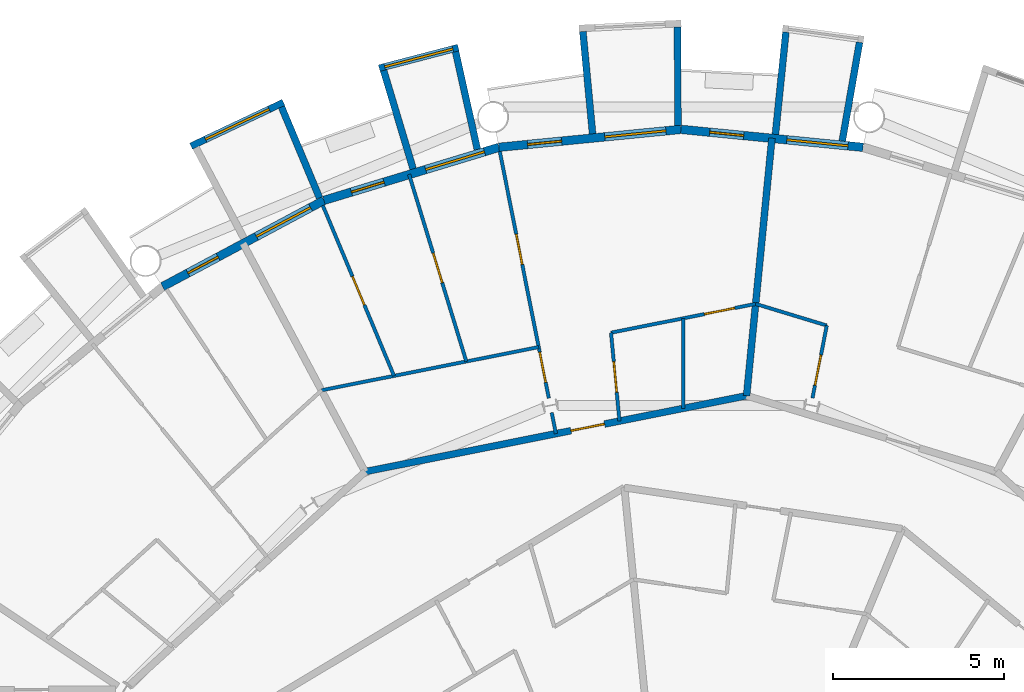
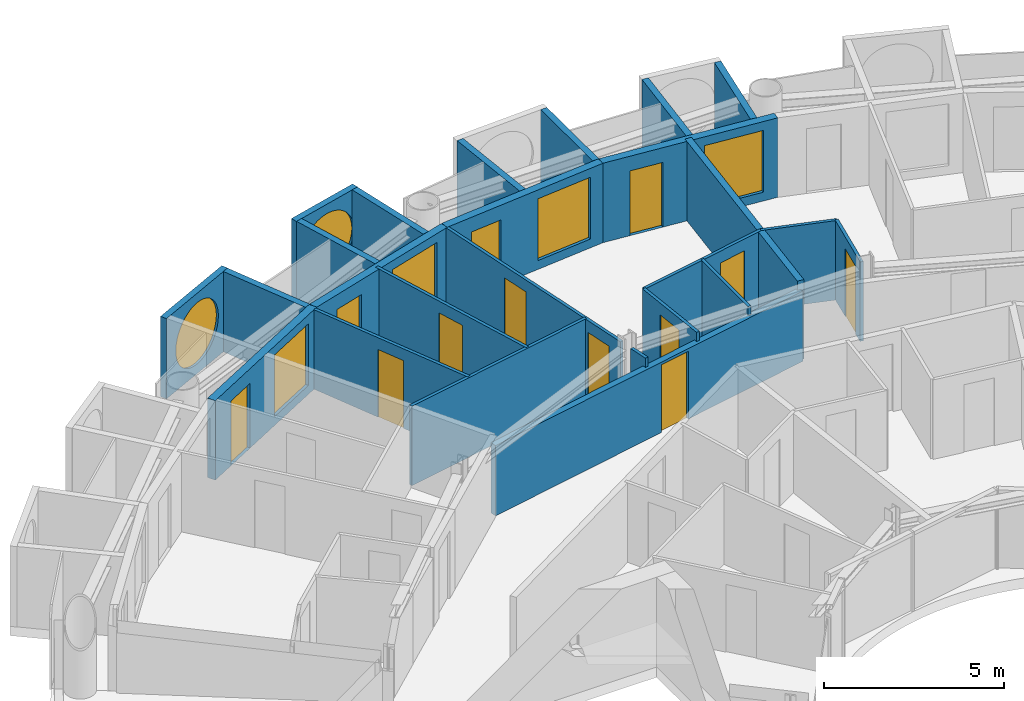
# One storey, part 21 of 28: 25 walls, 12 doors, 6 windows, 18 openings.
"""IFC4 building model written with IfcOpenShell, lengths in metres."""

from ifc_helpers import new_model, si_unit, direction, frame, frame_2d, origin, place, context, subcontext, project, spatial, rectangle, circle, extrude, material, layer, layer_set, type_object, element, fill, save


model = new_model("IFC4")

# Units and contexts
model_context = context("Model", 3, precision=1e-05, world=origin(), true_north=direction((0.0, 1.0)))
body_context = subcontext(model_context, "Body", "Model", "MODEL_VIEW")
ifc_project = project(units=[si_unit("LENGTHUNIT", "METRE"), si_unit("AREAUNIT", "SQUARE_METRE"), si_unit("VOLUMEUNIT", "CUBIC_METRE"), si_unit("PLANEANGLEUNIT", "RADIAN"), si_unit("MASSUNIT", "GRAM", prefix="KILO")], contexts=[model_context])

# Site, building, storey
site_placement = place(None, origin())
site = spatial("IfcSite", under=ifc_project, at=site_placement, CompositionType="ELEMENT")
building_placement = place(site_placement, origin())
building = spatial("IfcBuilding", under=site, at=building_placement, Name="Maasbend Ring Residences", CompositionType="ELEMENT")
storey_placement = place(building_placement, frame((0.0, 0.0, 133.0)))
storey = spatial("IfcBuildingStorey", under=building, at=storey_placement, Name="L38", CompositionType="ELEMENT", Elevation=133.0)

# Wall, opening, door
ifc_material_1 = material(Name="Concrete C30/37", Category="concrete")
ifc_layer_1 = layer(ifc_material_1, 0.199951171875)
ifc_layer_set_1 = layer_set([ifc_layer_1], Name="Concrete C30/37")
wall_type_1 = type_object("IfcWallType", Name="CORRIDOR WALL 200 CONCRETE", PredefinedType="PARTITIONING", material=ifc_layer_set_1)
wall_1_placement = place(storey_placement, frame((-9.239013671875, 17.285888671875, 0.0), z_axis=(0.0, 0.0, 1.0), x_axis=(0.98077905287, 0.195121627328, 0.0)))
wall_1 = element("IfcWall", 1, at=wall_1_placement, inside=storey, type_object=wall_type_1, Name="U-L38-w109", PredefinedType="PARTITIONING", context=body_context, shape_type="SweptSolid", body=[
    extrude(rectangle(XDim=11.378662109375, YDim=0.199951171875, at=frame_2d((5.689453125, 0.0))), origin(), (0.0, 0.0, 1.0), 2.389892578125),
])
opening_1_placement = place(wall_1_placement, frame((6.137939453125, 0.0, 0.0)))
opening_1 = element("IfcOpeningElement", 2, at=opening_1_placement, cuts=wall_1, Name="Opening D-3811", PredefinedType="OPENING", context=body_context, shape_type="SweptSolid", body=[
    extrude(rectangle(XDim=1.0, YDim=2.300048828125, at=frame_2d((0.5, 1.14990234375))), frame((0.0, 0.10986328125, 0.0), z_axis=(0.0, -1.0, 0.0), x_axis=(1.0, 0.0, 0.0)), (0.0, 0.0, 1.0), 0.219970703125),
])
ifc_material_2 = material(Name="Timber, fire-rated, painted", Category="wood")
door_type_1 = type_object("IfcDoorType", Name="FLAT ENTRANCE DOOR 1000 X 2300 FIRE-RATED", OperationType="NOTDEFINED", PredefinedType="DOOR", material=ifc_material_2)
door_1_placement = place(opening_1_placement, origin())
door_1 = element("IfcDoor", 3, at=door_1_placement, inside=storey, type_object=door_type_1, Name="D-3811", OperationType="SINGLE_SWING_RIGHT", OverallHeight=2.300048828125, OverallWidth=1.0, PredefinedType="DOOR", context=body_context, shape_type="SweptSolid", body=[
    extrude(rectangle(XDim=1.0, YDim=2.300048828125, at=frame_2d((0.5, 1.14990234375))), frame((0.0, 0.02490234375, 0.0), z_axis=(0.0, -1.0, 0.0), x_axis=(1.0, 0.0, 0.0)), (0.0, 0.0, 1.0), 0.050048828125),
])
fill(opening_1, door_1)

# Walls
ifc_material_3 = material(Name="Pale anodised aluminium panel", Category="aluminium")
ifc_layer_2 = layer(ifc_material_3, 0.199951171875)
ifc_layer_set_2 = layer_set([ifc_layer_2], Name="EW-BOX")
wall_type_2 = type_object("IfcWallType", Name="EW-BOX", PredefinedType="SOLIDWALL", material=ifc_layer_set_2)
wall_2_placement = place(storey_placement, frame((4.719970703125, 26.9609375, -0.030029296875), z_axis=(0.0, 0.0, 1.0), x_axis=(0.172463232037, 0.98501595601, 0.0)))
element("IfcWall", 4, at=wall_2_placement, inside=storey, type_object=wall_type_2, Name="Box side wall N09 left", PredefinedType="SOLIDWALL", context=body_context, shape_type="SweptSolid", body=[
    extrude(rectangle(XDim=2.928955078125, YDim=0.199951171875, at=frame_2d((1.46435546875, 0.0))), origin(), (0.0, 0.0, 1.0), 2.72998046875),
])
wall_3_placement = place(storey_placement, frame((2.763916015625, 27.153076171875, -0.030029296875), z_axis=(0.0, 0.0, 1.0), x_axis=(0.101505487237, 0.994834979311, 0.0)))
element("IfcWall", 5, at=wall_3_placement, inside=storey, type_object=wall_type_2, Name="Box side wall N09 right", PredefinedType="SOLIDWALL", context=body_context, shape_type="SweptSolid", body=[
    extrude(rectangle(XDim=3.006591796875, YDim=0.199951171875, at=frame_2d((1.50341796875, 0.0))), origin(), (0.0, 0.0, 1.0), 2.72998046875),
])
wall_4_placement = place(storey_placement, frame((-0.090087890625, 27.4169921875, -0.030029296875), z_axis=(0.0, 0.0, 1.0), x_axis=(-0.00347308367, 0.999993968827, 0.0)))
element("IfcWall", 6, at=wall_4_placement, inside=storey, type_object=wall_type_2, Name="Box side wall N11 left", PredefinedType="SOLIDWALL", context=body_context, shape_type="SweptSolid", body=[
    extrude(rectangle(XDim=2.882080078125, YDim=0.199951171875, at=frame_2d((1.44091796875, 0.0))), origin(), (0.0, 0.0, 1.0), 2.72998046875),
])
wall_5_placement = place(storey_placement, frame((-2.5859375, 27.1708984375, -0.030029296875), z_axis=(0.0, 0.0, 1.0), x_axis=(-0.094548432284, 0.995520262954, 0.0)))
element("IfcWall", 7, at=wall_5_placement, inside=storey, type_object=wall_type_2, Name="Box side wall N11 right", PredefinedType="SOLIDWALL", context=body_context, shape_type="SweptSolid", body=[
    extrude(rectangle(XDim=3.005615234375, YDim=0.199951171875, at=frame_2d((1.5029296875, 0.0))), origin(), (0.0, 0.0, 1.0), 2.72998046875),
])

# Wall, opening, window
wall_6_placement = place(storey_placement, frame((-6.514892578125, 29.694091796875, -0.030029296875), z_axis=(0.0, 0.0, 1.0), x_axis=(-0.967554339146, -0.252663018266, 0.0)))
wall_6 = element("IfcWall", 8, at=wall_6_placement, inside=storey, type_object=wall_type_2, Name="Box front N13", PredefinedType="SOLIDWALL", context=body_context, shape_type="SweptSolid", body=[
    extrude(rectangle(XDim=2.390625, YDim=0.199951171875, at=frame_2d((1.1953125, 0.0))), origin(), (0.0, 0.0, 1.0), 2.72998046875),
])
opening_2_placement = place(wall_6_placement, frame((0.15576171875, 0.0, 0.330078125)))
opening_2 = element("IfcOpeningElement", 9, at=opening_2_placement, cuts=wall_6, Name="Opening W-RD", PredefinedType="OPENING", context=body_context, shape_type="SweptSolid", body=[
    extrude(circle(Radius=1.0400390625, at=frame_2d((1.0400390625, 1.0400390625))), frame((0.0, 0.10986328125, 0.0), z_axis=(0.0, -1.0, 0.0), x_axis=(1.0, 0.0, 0.0)), (0.0, 0.0, 1.0), 0.219970703125),
])
ifc_material_4 = material(Name="Aluminium and clear glass", Category="aluminium")
window_type_1 = type_object("IfcWindowType", Name="W-RD", PartitioningType="SINGLE_PANEL", PredefinedType="WINDOW", material=ifc_material_4)
window_1_placement = place(opening_2_placement, origin())
window_1 = element("IfcWindow", 10, at=window_1_placement, inside=storey, type_object=window_type_1, Name="Round window N13", OverallHeight=2.080078125, OverallWidth=2.080078125, PartitioningType="SINGLE_PANEL", PredefinedType="WINDOW", context=body_context, shape_type="SweptSolid", body=[
    extrude(circle(Radius=1.0400390625, at=frame_2d((1.0400390625, 1.0400390625))), frame((0.0, 0.030029296875, 0.0), z_axis=(0.0, -1.0, 0.0), x_axis=(1.0, 0.0, 0.0)), (0.0, 0.0, 1.0), 0.06005859375),
])
fill(opening_2, window_1)

# Walls
wall_7_placement = place(storey_placement, frame((-5.95703125, 26.715087890625, -0.030029296875), z_axis=(0.0, 0.0, 1.0), x_axis=(-0.217857287091, 0.975980636315, 0.0)))
element("IfcWall", 11, at=wall_7_placement, inside=storey, type_object=wall_type_2, Name="Box side wall N13 left", PredefinedType="SOLIDWALL", context=body_context, shape_type="SweptSolid", body=[
    extrude(rectangle(XDim=2.92822265625, YDim=0.199951171875, at=frame_2d((1.464111328125, 0.0))), origin(), (0.0, 0.0, 1.0), 2.72998046875),
])
wall_8_placement = place(storey_placement, frame((-7.8369140625, 26.14404296875, -0.030029296875), z_axis=(0.0, 0.0, 1.0), x_axis=(-0.287064767992, 0.957911174889, 0.0)))
element("IfcWall", 12, at=wall_8_placement, inside=storey, type_object=wall_type_2, Name="Box side wall N13 right", PredefinedType="SOLIDWALL", context=body_context, shape_type="SweptSolid", body=[
    extrude(rectangle(XDim=3.00634765625, YDim=0.199951171875, at=frame_2d((1.503173828125, 0.0))), origin(), (0.0, 0.0, 1.0), 2.72998046875),
])

# Wall, opening, window
wall_9_placement = place(storey_placement, frame((-11.62890625, 28.087890625, -0.030029296875), z_axis=(0.0, 0.0, 1.0), x_axis=(-0.904000060331, -0.427532327342, 0.0)))
wall_9 = element("IfcWall", 13, at=wall_9_placement, inside=storey, type_object=wall_type_2, Name="Box front N15", PredefinedType="SOLIDWALL", context=body_context, shape_type="SweptSolid", body=[
    extrude(rectangle(XDim=2.993408203125, YDim=0.199951171875, at=frame_2d((1.49658203125, 0.0))), origin(), (0.0, 0.0, 1.0), 2.72998046875),
])
opening_3_placement = place(wall_9_placement, frame((0.45654296875, 0.0, 0.330078125)))
opening_3 = element("IfcOpeningElement", 14, at=opening_3_placement, cuts=wall_9, Name="Opening W-RD", PredefinedType="OPENING", context=body_context, shape_type="SweptSolid", body=[
    extrude(circle(Radius=1.0400390625, at=frame_2d((1.0400390625, 1.0400390625))), frame((0.0, 0.10986328125, 0.0), z_axis=(0.0, -1.0, 0.0), x_axis=(1.0, 0.0, 0.0)), (0.0, 0.0, 1.0), 0.219970703125),
])
window_2_placement = place(opening_3_placement, origin())
window_2 = element("IfcWindow", 15, at=window_2_placement, inside=storey, type_object=window_type_1, Name="Round window N15", OverallHeight=2.080078125, OverallWidth=2.080078125, PartitioningType="SINGLE_PANEL", PredefinedType="WINDOW", context=body_context, shape_type="SweptSolid", body=[
    extrude(circle(Radius=1.0400390625, at=frame_2d((1.0400390625, 1.0400390625))), frame((0.0, 0.030029296875, 0.0), z_axis=(0.0, -1.0, 0.0), x_axis=(1.0, 0.0, 0.0)), (0.0, 0.0, 1.0), 0.06005859375),
])
fill(opening_3, window_2)

# Wall
wall_10_placement = place(storey_placement, frame((-10.574951171875, 25.294921875, -0.030029296875), z_axis=(0.0, 0.0, 1.0), x_axis=(-0.385697364644, 0.922625353492, 0.0)))
element("IfcWall", 16, at=wall_10_placement, inside=storey, type_object=wall_type_2, Name="Box side wall N15 left", PredefinedType="SOLIDWALL", context=body_context, shape_type="SweptSolid", body=[
    extrude(rectangle(XDim=2.88330078125, YDim=0.199951171875, at=frame_2d((1.441650390625, 0.0))), origin(), (0.0, 0.0, 1.0), 2.72998046875),
])

# Wall, openings, door, window
ifc_material_5 = material(Name="Aluminium clad insulated panel", Category="aluminium")
ifc_layer_3 = layer(ifc_material_5, 0.25)
ifc_layer_set_3 = layer_set([ifc_layer_3], Name="EW-GL")
wall_type_3 = type_object("IfcWallType", Name="EW-GL", PredefinedType="SOLIDWALL", material=ifc_layer_set_3)
wall_11_placement = place(storey_placement, frame((5.325927734375, 26.77490234375, 0.0), z_axis=(0.0, 0.0, 1.0), x_axis=(-0.995173996315, 0.098126026407, 0.0)))
wall_11 = element("IfcWall", 17, at=wall_11_placement, inside=storey, type_object=wall_type_3, Name="External wall N05", PredefinedType="SOLIDWALL", context=body_context, shape_type="SweptSolid", body=[
    extrude(rectangle(XDim=5.351806640625, YDim=0.25, at=frame_2d((2.67578125, 0.0))), origin(), (0.0, 0.0, 1.0), 2.699951171875),
])
opening_4_placement = place(wall_11_placement, frame((0.441162109375, 0.0, 0.300048828125)))
opening_4 = element("IfcOpeningElement", 18, at=opening_4_placement, cuts=wall_11, Name="Opening W-BX", PredefinedType="OPENING", context=body_context, shape_type="SweptSolid", body=[
    extrude(rectangle(XDim=1.800048828125, YDim=2.10009765625, at=frame_2d((0.89990234375, 1.050048828125))), frame((0.0, 0.135009765625, 0.0), z_axis=(0.0, -1.0, 0.0), x_axis=(1.0, 0.0, 0.0)), (0.0, 0.0, 1.0), 0.27001953125),
])
opening_5_placement = place(wall_11_placement, frame((3.510498046875, 0.0, 0.0)))
opening_5 = element("IfcOpeningElement", 19, at=opening_5_placement, cuts=wall_11, Name="Opening D-LG", PredefinedType="OPENING", context=body_context, shape_type="SweptSolid", body=[
    extrude(rectangle(XDim=1.0, YDim=2.199951171875, at=frame_2d((0.5, 1.10009765625))), frame((0.0, 0.135009765625, 0.0), z_axis=(0.0, -1.0, 0.0), x_axis=(1.0, 0.0, 0.0)), (0.0, 0.0, 1.0), 0.27001953125),
])
ifc_material_6 = material(Name="Aluminium and clear glass", Category="aluminium")
door_type_2 = type_object("IfcDoorType", Name="D-LG", OperationType="SINGLE_SWING_LEFT", PredefinedType="DOOR", material=ifc_material_6)
door_2_placement = place(opening_5_placement, origin())
door_2 = element("IfcDoor", 20, at=door_2_placement, inside=storey, type_object=door_type_2, Name="Loggia door N10", OperationType="SINGLE_SWING_LEFT", OverallHeight=2.199951171875, OverallWidth=1.0, PredefinedType="DOOR", context=body_context, shape_type="SweptSolid", body=[
    extrude(rectangle(XDim=1.0, YDim=2.199951171875, at=frame_2d((0.5, 1.10009765625))), frame((0.0, 0.02490234375, 0.0), z_axis=(0.0, -1.0, 0.0), x_axis=(1.0, 0.0, 0.0)), (0.0, 0.0, 1.0), 0.050048828125),
])
fill(opening_5, door_2)
ifc_material_7 = material(Name="Aluminium and clear glass", Category="aluminium")
window_type_2 = type_object("IfcWindowType", Name="W-BX", PartitioningType="DOUBLE_PANEL_VERTICAL", PredefinedType="WINDOW", material=ifc_material_7)
window_3_placement = place(opening_4_placement, origin())
window_3 = element("IfcWindow", 21, at=window_3_placement, inside=storey, type_object=window_type_2, Name="Window N09 room to box", OverallHeight=2.10009765625, OverallWidth=1.800048828125, PartitioningType="SINGLE_PANEL", PredefinedType="WINDOW", context=body_context, shape_type="SweptSolid", body=[
    extrude(rectangle(XDim=1.800048828125, YDim=2.10009765625, at=frame_2d((0.89990234375, 1.050048828125))), frame((0.0, 0.030029296875, 0.0), z_axis=(0.0, -1.0, 0.0), x_axis=(1.0, 0.0, 0.0)), (0.0, 0.0, 1.0), 0.06005859375),
])
fill(opening_4, window_3)

wall_12_placement = place(storey_placement, frame((0.0, 27.300048828125, 0.0), z_axis=(0.0, 0.0, 1.0), x_axis=(-0.995173996315, -0.098126026407, 0.0)))
wall_12 = element("IfcWall", 22, at=wall_12_placement, inside=storey, type_object=wall_type_3, Name="External wall N06", PredefinedType="SOLIDWALL", context=body_context, shape_type="SweptSolid", body=[
    extrude(rectangle(XDim=5.351806640625, YDim=0.25, at=frame_2d((2.67578125, 0.0))), origin(), (0.0, 0.0, 1.0), 2.699951171875),
])
opening_6_placement = place(wall_12_placement, frame((0.441162109375, 0.0, 0.300048828125)))
opening_6 = element("IfcOpeningElement", 23, at=opening_6_placement, cuts=wall_12, Name="Opening W-BX", PredefinedType="OPENING", context=body_context, shape_type="SweptSolid", body=[
    extrude(rectangle(XDim=1.800048828125, YDim=2.10009765625, at=frame_2d((0.89990234375, 1.050048828125))), frame((0.0, 0.135009765625, 0.0), z_axis=(0.0, -1.0, 0.0), x_axis=(1.0, 0.0, 0.0)), (0.0, 0.0, 1.0), 0.27001953125),
])
opening_7_placement = place(wall_12_placement, frame((3.510498046875, 0.0, 0.0)))
opening_7 = element("IfcOpeningElement", 24, at=opening_7_placement, cuts=wall_12, Name="Opening D-LG", PredefinedType="OPENING", context=body_context, shape_type="SweptSolid", body=[
    extrude(rectangle(XDim=1.0, YDim=2.199951171875, at=frame_2d((0.5, 1.10009765625))), frame((0.0, 0.135009765625, 0.0), z_axis=(0.0, -1.0, 0.0), x_axis=(1.0, 0.0, 0.0)), (0.0, 0.0, 1.0), 0.27001953125),
])
door_3_placement = place(opening_7_placement, origin())
door_3 = element("IfcDoor", 25, at=door_3_placement, inside=storey, type_object=door_type_2, Name="Loggia door N12", OperationType="SINGLE_SWING_LEFT", OverallHeight=2.199951171875, OverallWidth=1.0, PredefinedType="DOOR", context=body_context, shape_type="SweptSolid", body=[
    extrude(rectangle(XDim=1.0, YDim=2.199951171875, at=frame_2d((0.5, 1.10009765625))), frame((0.0, 0.02490234375, 0.0), z_axis=(0.0, -1.0, 0.0), x_axis=(1.0, 0.0, 0.0)), (0.0, 0.0, 1.0), 0.050048828125),
])
fill(opening_7, door_3)
window_4_placement = place(opening_6_placement, origin())
window_4 = element("IfcWindow", 26, at=window_4_placement, inside=storey, type_object=window_type_2, Name="Window N11 room to box", OverallHeight=2.10009765625, OverallWidth=1.800048828125, PartitioningType="SINGLE_PANEL", PredefinedType="WINDOW", context=body_context, shape_type="SweptSolid", body=[
    extrude(rectangle(XDim=1.800048828125, YDim=2.10009765625, at=frame_2d((0.89990234375, 1.050048828125))), frame((0.0, 0.030029296875, 0.0), z_axis=(0.0, -1.0, 0.0), x_axis=(1.0, 0.0, 0.0)), (0.0, 0.0, 1.0), 0.06005859375),
])
fill(opening_6, window_4)

wall_13_placement = place(storey_placement, frame((-5.325927734375, 26.77490234375, 0.0), z_axis=(0.0, 0.0, 1.0), x_axis=(-0.956965678721, -0.290201119486, 0.0)))
wall_13 = element("IfcWall", 27, at=wall_13_placement, inside=storey, type_object=wall_type_3, Name="External wall N07", PredefinedType="SOLIDWALL", context=body_context, shape_type="SweptSolid", body=[
    extrude(rectangle(XDim=5.351318359375, YDim=0.25, at=frame_2d((2.67578125, 0.0))), origin(), (0.0, 0.0, 1.0), 2.699951171875),
])
opening_8_placement = place(wall_13_placement, frame((0.441162109375, 0.0, 0.300048828125)))
opening_8 = element("IfcOpeningElement", 28, at=opening_8_placement, cuts=wall_13, Name="Opening W-BX", PredefinedType="OPENING", context=body_context, shape_type="SweptSolid", body=[
    extrude(rectangle(XDim=1.800048828125, YDim=2.10009765625, at=frame_2d((0.89990234375, 1.050048828125))), frame((0.0, 0.135009765625, 0.0), z_axis=(0.0, -1.0, 0.0), x_axis=(1.0, 0.0, 0.0)), (0.0, 0.0, 1.0), 0.27001953125),
])
opening_9_placement = place(wall_13_placement, frame((3.510498046875, 0.0, 0.0)))
opening_9 = element("IfcOpeningElement", 29, at=opening_9_placement, cuts=wall_13, Name="Opening D-LG", PredefinedType="OPENING", context=body_context, shape_type="SweptSolid", body=[
    extrude(rectangle(XDim=1.0, YDim=2.199951171875, at=frame_2d((0.5, 1.10009765625))), frame((0.0, 0.135009765625, 0.0), z_axis=(0.0, -1.0, 0.0), x_axis=(1.0, 0.0, 0.0)), (0.0, 0.0, 1.0), 0.27001953125),
])
door_4_placement = place(opening_9_placement, origin())
door_4 = element("IfcDoor", 30, at=door_4_placement, inside=storey, type_object=door_type_2, Name="Loggia door N14", OperationType="SINGLE_SWING_LEFT", OverallHeight=2.199951171875, OverallWidth=1.0, PredefinedType="DOOR", context=body_context, shape_type="SweptSolid", body=[
    extrude(rectangle(XDim=1.0, YDim=2.199951171875, at=frame_2d((0.5, 1.10009765625))), frame((0.0, 0.02490234375, 0.0), z_axis=(0.0, -1.0, 0.0), x_axis=(1.0, 0.0, 0.0)), (0.0, 0.0, 1.0), 0.050048828125),
])
fill(opening_9, door_4)
window_5_placement = place(opening_8_placement, origin())
window_5 = element("IfcWindow", 31, at=window_5_placement, inside=storey, type_object=window_type_2, Name="Window N13 room to box", OverallHeight=2.10009765625, OverallWidth=1.800048828125, PartitioningType="SINGLE_PANEL", PredefinedType="WINDOW", context=body_context, shape_type="SweptSolid", body=[
    extrude(rectangle(XDim=1.800048828125, YDim=2.10009765625, at=frame_2d((0.89990234375, 1.050048828125))), frame((0.0, 0.030029296875, 0.0), z_axis=(0.0, -1.0, 0.0), x_axis=(1.0, 0.0, 0.0)), (0.0, 0.0, 1.0), 0.06005859375),
])
fill(opening_8, window_5)

wall_14_placement = place(storey_placement, frame((-10.447021484375, 25.221923828125, 0.0), z_axis=(0.0, 0.0, 1.0), x_axis=(-0.881915646801, -0.471407246368, 0.0)))
wall_14 = element("IfcWall", 32, at=wall_14_placement, inside=storey, type_object=wall_type_3, Name="External wall N08", PredefinedType="SOLIDWALL", context=body_context, shape_type="SweptSolid", body=[
    extrude(rectangle(XDim=5.35205078125, YDim=0.25, at=frame_2d((2.676025390625, 0.0))), origin(), (0.0, 0.0, 1.0), 2.699951171875),
])
opening_10_placement = place(wall_14_placement, frame((0.441162109375, 0.0, 0.300048828125)))
opening_10 = element("IfcOpeningElement", 33, at=opening_10_placement, cuts=wall_14, Name="Opening W-BX", PredefinedType="OPENING", context=body_context, shape_type="SweptSolid", body=[
    extrude(rectangle(XDim=1.800048828125, YDim=2.10009765625, at=frame_2d((0.89990234375, 1.050048828125))), frame((0.0, 0.135009765625, 0.0), z_axis=(0.0, -1.0, 0.0), x_axis=(1.0, 0.0, 0.0)), (0.0, 0.0, 1.0), 0.27001953125),
])
opening_11_placement = place(wall_14_placement, frame((3.510498046875, 0.0, 0.0)))
opening_11 = element("IfcOpeningElement", 34, at=opening_11_placement, cuts=wall_14, Name="Opening D-LG", PredefinedType="OPENING", context=body_context, shape_type="SweptSolid", body=[
    extrude(rectangle(XDim=1.0, YDim=2.199951171875, at=frame_2d((0.5, 1.10009765625))), frame((0.0, 0.135009765625, 0.0), z_axis=(0.0, -1.0, 0.0), x_axis=(1.0, 0.0, 0.0)), (0.0, 0.0, 1.0), 0.27001953125),
])
door_5_placement = place(opening_11_placement, origin())
door_5 = element("IfcDoor", 35, at=door_5_placement, inside=storey, type_object=door_type_2, Name="Loggia door N16", OperationType="SINGLE_SWING_LEFT", OverallHeight=2.199951171875, OverallWidth=1.0, PredefinedType="DOOR", context=body_context, shape_type="SweptSolid", body=[
    extrude(rectangle(XDim=1.0, YDim=2.199951171875, at=frame_2d((0.5, 1.10009765625))), frame((0.0, 0.02490234375, 0.0), z_axis=(0.0, -1.0, 0.0), x_axis=(1.0, 0.0, 0.0)), (0.0, 0.0, 1.0), 0.050048828125),
])
fill(opening_11, door_5)
window_6_placement = place(opening_10_placement, origin())
window_6 = element("IfcWindow", 36, at=window_6_placement, inside=storey, type_object=window_type_2, Name="Window N15 room to box", OverallHeight=2.10009765625, OverallWidth=1.800048828125, PartitioningType="SINGLE_PANEL", PredefinedType="WINDOW", context=body_context, shape_type="SweptSolid", body=[
    extrude(rectangle(XDim=1.800048828125, YDim=2.10009765625, at=frame_2d((0.89990234375, 1.050048828125))), frame((0.0, 0.030029296875, 0.0), z_axis=(0.0, -1.0, 0.0), x_axis=(1.0, 0.0, 0.0)), (0.0, 0.0, 1.0), 0.06005859375),
])
fill(opening_10, window_6)

# Wall, opening, door
ifc_material_8 = material(Name="Gypsum board on steel studs", Category="steel")
ifc_layer_4 = layer(ifc_material_8, 0.10009765625)
ifc_layer_set_4 = layer_set([ifc_layer_4], Name="PARTITION 100 GYPSUM")
wall_type_4 = type_object("IfcWallType", Name="PARTITION 100 GYPSUM", PredefinedType="PARTITIONING", material=ifc_layer_set_4)
wall_15_placement = place(storey_placement, frame((-10.47900390625, 25.072998046875, 0.0), z_axis=(0.0, 0.0, 1.0), x_axis=(0.385542476694, -0.922690088093, 0.0)))
wall_15 = element("IfcWall", 37, at=wall_15_placement, inside=storey, type_object=wall_type_4, Name="U-L38-w041", PredefinedType="PARTITIONING", context=body_context, shape_type="SweptSolid", body=[
    extrude(rectangle(XDim=5.40283203125, YDim=0.10009765625, at=frame_2d((2.701416015625, 0.0))), origin(), (0.0, 0.0, 1.0), 2.699951171875),
])
opening_12_placement = place(wall_15_placement, frame((2.2509765625, 0.0, 0.0)))
opening_12 = element("IfcOpeningElement", 38, at=opening_12_placement, cuts=wall_15, Name="Opening D-3817", PredefinedType="OPENING", context=body_context, shape_type="SweptSolid", body=[
    extrude(rectangle(XDim=0.89990234375, YDim=2.300048828125, at=frame_2d((0.449951171875, 1.14990234375))), frame((0.0, 0.06005859375, 0.0), z_axis=(0.0, -1.0, 0.0), x_axis=(1.0, 0.0, 0.0)), (0.0, 0.0, 1.0), 0.1201171875),
])
ifc_material_9 = material(Name="Timber, painted", Category="wood")
door_type_3 = type_object("IfcDoorType", Name="INTERNAL DOOR 900 X 2300", OperationType="NOTDEFINED", PredefinedType="DOOR", material=ifc_material_9)
door_6_placement = place(opening_12_placement, origin())
door_6 = element("IfcDoor", 39, at=door_6_placement, inside=storey, type_object=door_type_3, Name="D-3817", OperationType="SINGLE_SWING_RIGHT", OverallHeight=2.300048828125, OverallWidth=0.89990234375, PredefinedType="DOOR", context=body_context, shape_type="SweptSolid", body=[
    extrude(rectangle(XDim=0.89990234375, YDim=2.300048828125, at=frame_2d((0.449951171875, 1.14990234375))), frame((0.0, 0.02490234375, 0.0), z_axis=(0.0, -1.0, 0.0), x_axis=(1.0, 0.0, 0.0)), (0.0, 0.0, 1.0), 0.050048828125),
])
fill(opening_12, door_6)

wall_16_placement = place(storey_placement, frame((-7.9560546875, 25.98388671875, 0.0), z_axis=(0.0, 0.0, 1.0), x_axis=(0.292722228482, -0.956197519842, 0.0)))
wall_16 = element("IfcWall", 40, at=wall_16_placement, inside=storey, type_object=wall_type_4, Name="U-L38-w046", PredefinedType="PARTITIONING", context=body_context, shape_type="SweptSolid", body=[
    extrude(rectangle(XDim=5.7255859375, YDim=0.10009765625, at=frame_2d((2.86279296875, 0.0))), origin(), (0.0, 0.0, 1.0), 2.699951171875),
])
opening_13_placement = place(wall_16_placement, frame((2.4130859375, 0.0, 0.0)))
opening_13 = element("IfcOpeningElement", 41, at=opening_13_placement, cuts=wall_16, Name="Opening D-3816", PredefinedType="OPENING", context=body_context, shape_type="SweptSolid", body=[
    extrude(rectangle(XDim=0.89990234375, YDim=2.300048828125, at=frame_2d((0.449951171875, 1.14990234375))), frame((0.0, 0.06005859375, 0.0), z_axis=(0.0, -1.0, 0.0), x_axis=(1.0, 0.0, 0.0)), (0.0, 0.0, 1.0), 0.1201171875),
])
door_7_placement = place(opening_13_placement, origin())
door_7 = element("IfcDoor", 42, at=door_7_placement, inside=storey, type_object=door_type_3, Name="D-3816", OperationType="SINGLE_SWING_RIGHT", OverallHeight=2.300048828125, OverallWidth=0.89990234375, PredefinedType="DOOR", context=body_context, shape_type="SweptSolid", body=[
    extrude(rectangle(XDim=0.89990234375, YDim=2.300048828125, at=frame_2d((0.449951171875, 1.14990234375))), frame((0.0, 0.02490234375, 0.0), z_axis=(0.0, -1.0, 0.0), x_axis=(1.0, 0.0, 0.0)), (0.0, 0.0, 1.0), 0.050048828125),
])
fill(opening_13, door_7)

# Wall, openings, doors
wall_17_placement = place(storey_placement, frame((-5.301025390625, 26.653076171875, 0.0), z_axis=(0.0, 0.0, 1.0), x_axis=(0.194999559373, -0.98080332985, 0.0)))
wall_17 = element("IfcWall", 43, at=wall_17_placement, inside=storey, type_object=wall_type_4, Name="U-L38-w051", PredefinedType="PARTITIONING", context=body_context, shape_type="SweptSolid", body=[
    extrude(rectangle(XDim=7.359375, YDim=0.10009765625, at=frame_2d((3.6796875, 0.0))), origin(), (0.0, 0.0, 1.0), 2.699951171875),
])
opening_14_placement = place(wall_17_placement, frame((5.985107421875, 0.0, 0.0)))
opening_14 = element("IfcOpeningElement", 44, at=opening_14_placement, cuts=wall_17, Name="Opening D-3814", PredefinedType="OPENING", context=body_context, shape_type="SweptSolid", body=[
    extrude(rectangle(XDim=0.89990234375, YDim=2.300048828125, at=frame_2d((0.449951171875, 1.14990234375))), frame((0.0, 0.06005859375, 0.0), z_axis=(0.0, -1.0, 0.0), x_axis=(1.0, 0.0, 0.0)), (0.0, 0.0, 1.0), 0.1201171875),
])
opening_15_placement = place(wall_17_placement, frame((2.467041015625, 0.0, 0.0)))
opening_15 = element("IfcOpeningElement", 45, at=opening_15_placement, cuts=wall_17, Name="Opening D-3815", PredefinedType="OPENING", context=body_context, shape_type="SweptSolid", body=[
    extrude(rectangle(XDim=0.89990234375, YDim=2.300048828125, at=frame_2d((0.449951171875, 1.14990234375))), frame((0.0, 0.06005859375, 0.0), z_axis=(0.0, -1.0, 0.0), x_axis=(1.0, 0.0, 0.0)), (0.0, 0.0, 1.0), 0.1201171875),
])
door_8_placement = place(opening_14_placement, origin())
door_8 = element("IfcDoor", 46, at=door_8_placement, inside=storey, type_object=door_type_3, Name="D-3814", OperationType="SINGLE_SWING_RIGHT", OverallHeight=2.300048828125, OverallWidth=0.89990234375, PredefinedType="DOOR", context=body_context, shape_type="SweptSolid", body=[
    extrude(rectangle(XDim=0.89990234375, YDim=2.300048828125, at=frame_2d((0.449951171875, 1.14990234375))), frame((0.0, 0.02490234375, 0.0), z_axis=(0.0, -1.0, 0.0), x_axis=(1.0, 0.0, 0.0)), (0.0, 0.0, 1.0), 0.050048828125),
])
fill(opening_14, door_8)
door_9_placement = place(opening_15_placement, origin())
door_9 = element("IfcDoor", 47, at=door_9_placement, inside=storey, type_object=door_type_3, Name="D-3815", OperationType="SINGLE_SWING_LEFT", OverallHeight=2.300048828125, OverallWidth=0.89990234375, PredefinedType="DOOR", context=body_context, shape_type="SweptSolid", body=[
    extrude(rectangle(XDim=0.89990234375, YDim=2.300048828125, at=frame_2d((0.449951171875, 1.14990234375))), frame((0.0, 0.02490234375, 0.0), z_axis=(0.0, -1.0, 0.0), x_axis=(1.0, 0.0, 0.0)), (0.0, 0.0, 1.0), 0.050048828125),
])
fill(opening_15, door_9)

# Wall
wall_18_placement = place(storey_placement, frame((-3.781005859375, 19.011962890625, 0.0), z_axis=(0.0, 0.0, 1.0), x_axis=(0.194396175087, -0.980923099489, 0.0)))
element("IfcWall", 48, at=wall_18_placement, inside=storey, type_object=wall_type_4, Name="U-L38-w057", PredefinedType="PARTITIONING", context=body_context, shape_type="SweptSolid", body=[
    extrude(rectangle(XDim=0.6279296875, YDim=0.10009765625, at=frame_2d((0.31396484375, 0.0))), origin(), (0.0, 0.0, 1.0), 2.699951171875),
])

# Wall, opening, door
wall_19_placement = place(storey_placement, frame((-2.047119140625, 21.35107421875, 0.0), z_axis=(0.0, 0.0, 1.0), x_axis=(0.095518932305, -0.995427613426, 0.0)))
wall_19 = element("IfcWall", 49, at=wall_19_placement, inside=storey, type_object=wall_type_4, Name="U-L38-w059", PredefinedType="PARTITIONING", context=body_context, shape_type="SweptSolid", body=[
    extrude(rectangle(XDim=2.596923828125, YDim=0.10009765625, at=frame_2d((1.29833984375, 0.0))), origin(), (0.0, 0.0, 1.0), 2.699951171875),
])
opening_16_placement = place(wall_19_placement, frame((0.847900390625, 0.0, 0.0)))
opening_16 = element("IfcOpeningElement", 50, at=opening_16_placement, cuts=wall_19, Name="Opening D-3813", PredefinedType="OPENING", context=body_context, shape_type="SweptSolid", body=[
    extrude(rectangle(XDim=0.89990234375, YDim=2.300048828125, at=frame_2d((0.449951171875, 1.14990234375))), frame((0.0, 0.06005859375, 0.0), z_axis=(0.0, -1.0, 0.0), x_axis=(1.0, 0.0, 0.0)), (0.0, 0.0, 1.0), 0.1201171875),
])
door_10_placement = place(opening_16_placement, origin())
door_10 = element("IfcDoor", 51, at=door_10_placement, inside=storey, type_object=door_type_3, Name="D-3813", OperationType="SINGLE_SWING_RIGHT", OverallHeight=2.300048828125, OverallWidth=0.89990234375, PredefinedType="DOOR", context=body_context, shape_type="SweptSolid", body=[
    extrude(rectangle(XDim=0.89990234375, YDim=2.300048828125, at=frame_2d((0.449951171875, 1.14990234375))), frame((0.0, 0.02490234375, 0.0), z_axis=(0.0, -1.0, 0.0), x_axis=(1.0, 0.0, 0.0)), (0.0, 0.0, 1.0), 0.050048828125),
])
fill(opening_16, door_10)

# Wall
wall_20_placement = place(storey_placement, frame((0.06103515625, 19.135986328125, 0.0), z_axis=(0.0, 0.0, 1.0), x_axis=(0.003056390281, 0.999995329228, 0.0)))
element("IfcWall", 52, at=wall_20_placement, inside=storey, type_object=wall_type_4, Name="U-L38-w063", PredefinedType="PARTITIONING", context=body_context, shape_type="SweptSolid", body=[
    extrude(rectangle(XDim=2.635986328125, YDim=0.10009765625, at=frame_2d((1.31787109375, 0.0))), origin(), (0.0, 0.0, 1.0), 2.699951171875),
])

# Wall, opening, door
wall_21_placement = place(storey_placement, frame((3.846923828125, 19.43896484375, 0.0), z_axis=(0.0, 0.0, 1.0), x_axis=(0.194227580483, 0.980956495967, 0.0)))
wall_21 = element("IfcWall", 53, at=wall_21_placement, inside=storey, type_object=wall_type_4, Name="U-L38-w073", PredefinedType="PARTITIONING", context=body_context, shape_type="SweptSolid", body=[
    extrude(rectangle(XDim=2.163330078125, YDim=0.10009765625, at=frame_2d((1.08154296875, 0.0))), origin(), (0.0, 0.0, 1.0), 2.699951171875),
])
opening_17_placement = place(wall_21_placement, frame((0.383056640625, 0.0, 0.0)))
opening_17 = element("IfcOpeningElement", 54, at=opening_17_placement, cuts=wall_21, Name="Opening D-3808", PredefinedType="OPENING", context=body_context, shape_type="SweptSolid", body=[
    extrude(rectangle(XDim=0.89990234375, YDim=2.300048828125, at=frame_2d((0.449951171875, 1.14990234375))), frame((0.0, 0.06005859375, 0.0), z_axis=(0.0, -1.0, 0.0), x_axis=(1.0, 0.0, 0.0)), (0.0, 0.0, 1.0), 0.1201171875),
])
door_11_placement = place(opening_17_placement, origin())
door_11 = element("IfcDoor", 55, at=door_11_placement, inside=storey, type_object=door_type_3, Name="D-3808", OperationType="SINGLE_SWING_LEFT", OverallHeight=2.300048828125, OverallWidth=0.89990234375, PredefinedType="DOOR", context=body_context, shape_type="SweptSolid", body=[
    extrude(rectangle(XDim=0.89990234375, YDim=2.300048828125, at=frame_2d((0.449951171875, 1.14990234375))), frame((0.0, 0.02490234375, 0.0), z_axis=(0.0, -1.0, 0.0), x_axis=(1.0, 0.0, 0.0)), (0.0, 0.0, 1.0), 0.050048828125),
])
fill(opening_17, door_11)

# Wall
wall_22_placement = place(storey_placement, frame((-10.512939453125, 19.6669921875, 0.0), z_axis=(0.0, 0.0, 1.0), x_axis=(0.980783231687, 0.195100621324, 0.0)))
element("IfcWall", 56, at=wall_22_placement, inside=storey, type_object=wall_type_4, Name="U-L38-w117", PredefinedType="PARTITIONING", context=body_context, shape_type="SweptSolid", body=[
    extrude(rectangle(XDim=6.473388671875, YDim=0.10009765625, at=frame_2d((3.23681640625, 0.0))), origin(), (0.0, 0.0, 1.0), 2.699951171875),
])

# Wall, opening, door
wall_23_placement = place(storey_placement, frame((-2.048095703125, 21.35107421875, 0.0), z_axis=(0.0, 0.0, 1.0), x_axis=(0.980784647647, 0.19509350307, 0.0)))
wall_23 = element("IfcWall", 57, at=wall_23_placement, inside=storey, type_object=wall_type_4, Name="U-L38-w118", PredefinedType="PARTITIONING", context=body_context, shape_type="SweptSolid", body=[
    extrude(rectangle(XDim=4.316162109375, YDim=0.10009765625, at=frame_2d((2.158203125, 0.0))), origin(), (0.0, 0.0, 1.0), 2.699951171875),
])
opening_18_placement = place(wall_23_placement, frame((2.7880859375, 0.0, 0.0)))
opening_18 = element("IfcOpeningElement", 58, at=opening_18_placement, cuts=wall_23, Name="Opening D-3812", PredefinedType="OPENING", context=body_context, shape_type="SweptSolid", body=[
    extrude(rectangle(XDim=0.89990234375, YDim=2.300048828125, at=frame_2d((0.449951171875, 1.14990234375))), frame((0.0, 0.06005859375, 0.0), z_axis=(0.0, -1.0, 0.0), x_axis=(1.0, 0.0, 0.0)), (0.0, 0.0, 1.0), 0.1201171875),
])
door_12_placement = place(opening_18_placement, origin())
door_12 = element("IfcDoor", 59, at=door_12_placement, inside=storey, type_object=door_type_3, Name="D-3812", OperationType="SINGLE_SWING_RIGHT", OverallHeight=2.300048828125, OverallWidth=0.89990234375, PredefinedType="DOOR", context=body_context, shape_type="SweptSolid", body=[
    extrude(rectangle(XDim=0.89990234375, YDim=2.300048828125, at=frame_2d((0.449951171875, 1.14990234375))), frame((0.0, 0.02490234375, 0.0), z_axis=(0.0, -1.0, 0.0), x_axis=(1.0, 0.0, 0.0)), (0.0, 0.0, 1.0), 0.050048828125),
])
fill(opening_18, door_12)

# Walls
wall_24_placement = place(storey_placement, frame((2.18603515625, 22.193115234375, 0.0), z_axis=(0.0, 0.0, 1.0), x_axis=(0.956838221976, -0.290621088303, 0.0)))
element("IfcWall", 60, at=wall_24_placement, inside=storey, type_object=wall_type_4, Name="U-L38-w125", PredefinedType="PARTITIONING", context=body_context, shape_type="SweptSolid", body=[
    extrude(rectangle(XDim=2.175048828125, YDim=0.10009765625, at=frame_2d((1.08740234375, 0.0))), origin(), (0.0, 0.0, 1.0), 2.699951171875),
])
ifc_material_10 = material(Name="Concrete C30/37", Category="concrete")
ifc_layer_5 = layer(ifc_material_10, 0.199951171875)
ifc_layer_set_5 = layer_set([ifc_layer_5], Name="Concrete C30/37")
wall_type_5 = type_object("IfcWallType", Name="PARTY WALL 200 CONCRETE", PredefinedType="PARTITIONING", material=ifc_layer_set_5)
wall_25_placement = place(storey_placement, frame((1.919921875, 19.506103515625, 0.0), z_axis=(0.0, 0.0, 1.0), x_axis=(0.097987704654, 0.995187625394, 0.0)))
element("IfcWall", 61, at=wall_25_placement, inside=storey, type_object=wall_type_5, Name="U-L38-w066", PredefinedType="PARTITIONING", context=body_context, shape_type="SweptSolid", body=[
    extrude(rectangle(XDim=7.57421875, YDim=0.199951171875, at=frame_2d((3.787109375, 0.0))), origin(), (0.0, 0.0, 1.0), 2.699951171875),
])

save(model, "model.ifc")
